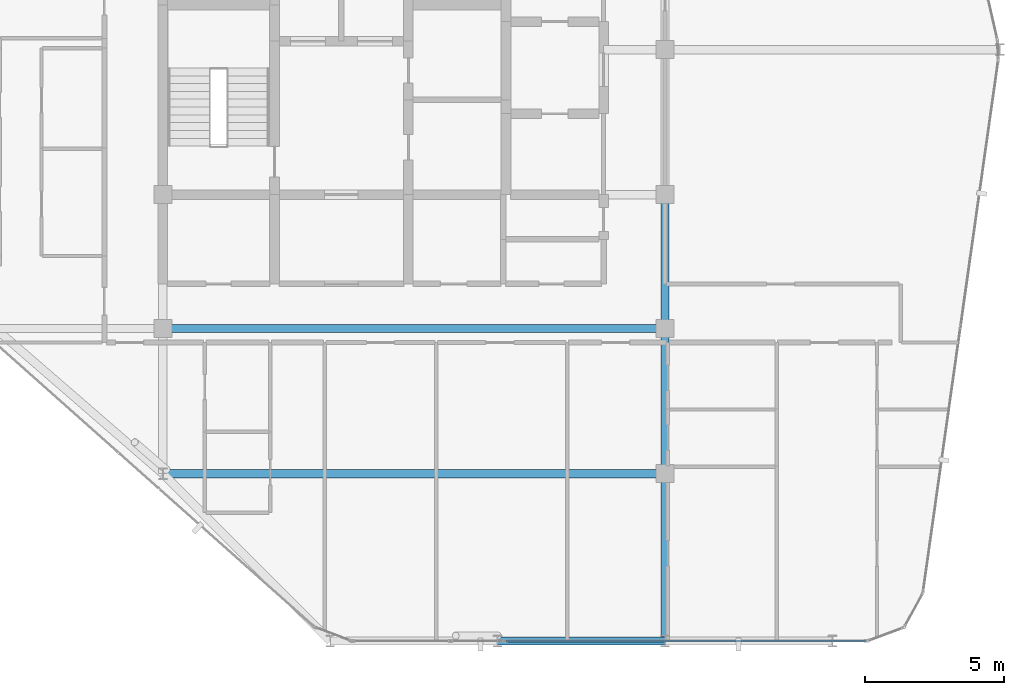
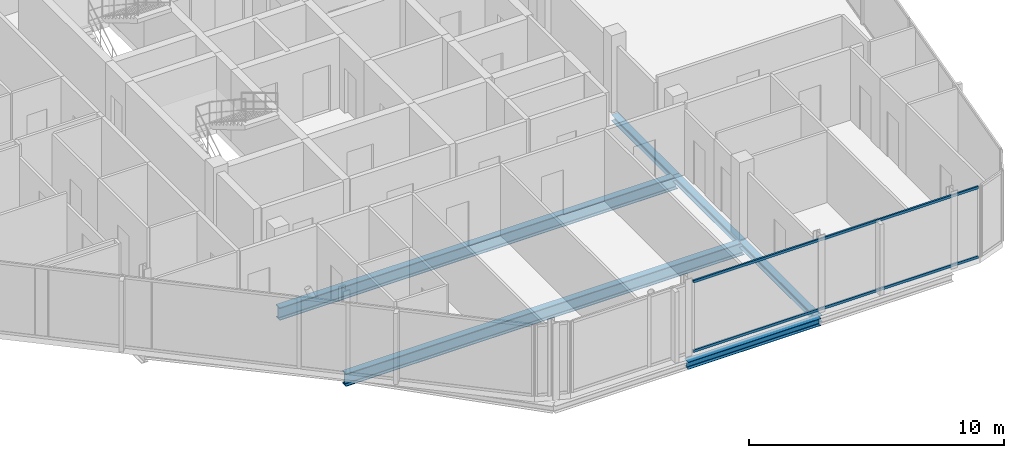
# One storey, part 7 of 27: 6 beams, 2 members, 1 element without a shape of its own.
"""IFC4 building model written with IfcOpenShell, lengths in metres."""

from ifc_helpers import new_model, si_unit, direction, frame, origin, origin_2d, place, context, subcontext, project, spatial, hollow_rectangle, i_section, extrude, material, layer, layer_set, material_profile, profile_set, type_object, element, aggregate, save


model = new_model("IFC4")

# Units and contexts
model_context = context("Model", 3, precision=1e-05, world=origin(), true_north=direction((0.0, 1.0)))
body_context = subcontext(model_context, "Body", "Model", "MODEL_VIEW")
ifc_project = project(units=[si_unit("LENGTHUNIT", "METRE"), si_unit("AREAUNIT", "SQUARE_METRE"), si_unit("VOLUMEUNIT", "CUBIC_METRE"), si_unit("PLANEANGLEUNIT", "RADIAN"), si_unit("MASSUNIT", "GRAM", prefix="KILO")], contexts=[model_context])

# Site, building, storey
site_placement = place(None, origin())
site = spatial("IfcSite", under=ifc_project, at=site_placement, CompositionType="ELEMENT")
building_placement = place(site_placement, origin())
building = spatial("IfcBuilding", under=site, at=building_placement, Name="Keshet Zoharim Tower", CompositionType="ELEMENT")
storey_placement = place(building_placement, frame((0.0, 0.0, 288.0)))
storey = spatial("IfcBuildingStorey", under=building, at=storey_placement, Name="L72", CompositionType="ELEMENT", Elevation=288.0)

# Beams
ifc_material_1 = material(Name="Steel S355", Category="steel")
ifc_material_profile_1 = material_profile(ifc_material_1, i_section(OverallWidth=0.300048828125, OverallDepth=0.60009765625, WebThickness=0.015380859375, FlangeThickness=0.030029296875, FilletRadius=0.027099609375, at=origin_2d()), Name="HEB600")
ifc_profile_set_1 = profile_set([ifc_material_profile_1], Name="Steel S355")
beam_type_1 = type_object("IfcBeamType", Name="BM-LNG-HB600", PredefinedType="BEAM", material=ifc_profile_set_1)
for number, where, z_axis, x_axis, name in (
    (1, (15.0, 12.699951171875, -0.610107421875), (1.0, 0.0, 0.0), (0.0, 1.0, 0.0), "L72 Primary Girder X-004"),
    (2, (15.0, 17.89990234375, -0.610107421875), (1.0, 0.0, 0.0), (0.0, 1.0, 0.0), "L72 Primary Girder X-006"),
):
    element("IfcBeam", number, at=place(storey_placement, frame(where, z_axis=z_axis, x_axis=x_axis)), inside=storey, type_object=beam_type_1, Name=name, PredefinedType="BEAM", context=body_context, shape_type="SweptSolid", body=[
        extrude(i_section(OverallWidth=0.300048828125, OverallDepth=0.60009765625, WebThickness=0.015380859375, FlangeThickness=0.030029296875, FilletRadius=0.027099609375, at=origin_2d()), origin(), (0.0, 0.0, 1.0), 18.0),
    ])
ifc_material_profile_2 = material_profile(ifc_material_1, i_section(OverallWidth=0.300048828125, OverallDepth=0.2900390625, WebThickness=0.008544921875, FlangeThickness=0.013916015625, FilletRadius=0.027099609375, at=origin_2d()), Name="HEA300")
ifc_profile_set_2 = profile_set([ifc_material_profile_2], Name="Steel S355")
beam_type_2 = type_object("IfcBeamType", Name="BM-PRI-HA300", PredefinedType="BEAM", material=ifc_profile_set_2)
beam_1_placement = place(storey_placement, frame((33.0, 6.699951171875, -0.455078125), z_axis=(0.0, 1.0, 0.0), x_axis=(-1.0, 0.0, 0.0)))
element("IfcBeam", 3, at=beam_1_placement, inside=storey, type_object=beam_type_2, Name="L72 Primary Girder Y-004", PredefinedType="BEAM", context=body_context, shape_type="SweptSolid", body=[
    extrude(i_section(OverallWidth=0.300048828125, OverallDepth=0.2900390625, WebThickness=0.008544921875, FlangeThickness=0.013916015625, FilletRadius=0.027099609375, at=origin_2d()), origin(), (0.0, 0.0, 1.0), 6.0),
])
beam_2_placement = place(storey_placement, frame((33.0, 12.699951171875, -0.455078125), z_axis=(0.0, 1.0, 0.0), x_axis=(-1.0, 0.0, 0.0)))
element("IfcBeam", 4, at=beam_2_placement, inside=storey, type_object=beam_type_2, Name="L72 Primary Girder Y-005", PredefinedType="BEAM", context=body_context, shape_type="SweptSolid", body=[
    extrude(i_section(OverallWidth=0.300048828125, OverallDepth=0.2900390625, WebThickness=0.008544921875, FlangeThickness=0.013916015625, FilletRadius=0.027099609375, at=origin_2d()), origin(), (0.0, 0.0, 1.0), 5.199951171875),
])
beam_3_placement = place(storey_placement, frame((33.0, 17.89990234375, -0.455078125), z_axis=(0.0, 1.0, 0.0), x_axis=(-1.0, 0.0, 0.0)))
element("IfcBeam", 5, at=beam_3_placement, inside=storey, type_object=beam_type_2, Name="L72 Primary Girder Y-006", PredefinedType="BEAM", context=body_context, shape_type="SweptSolid", body=[
    extrude(i_section(OverallWidth=0.300048828125, OverallDepth=0.2900390625, WebThickness=0.008544921875, FlangeThickness=0.013916015625, FilletRadius=0.027099609375, at=origin_2d()), origin(), (0.0, 0.0, 1.0), 4.800048828125),
])
ifc_material_profile_3 = material_profile(ifc_material_1, i_section(OverallWidth=0.300048828125, OverallDepth=0.35009765625, WebThickness=0.010009765625, FlangeThickness=0.017578125, FilletRadius=0.027099609375, at=origin_2d()), Name="HEA360")
ifc_profile_set_3 = profile_set([ifc_material_profile_3], Name="Steel S355")
beam_type_3 = type_object("IfcBeamType", Name="BM-PRI-HA360", PredefinedType="BEAM", material=ifc_profile_set_3)
beam_4_placement = place(storey_placement, frame((27.0, 6.699951171875, -0.485107421875), z_axis=(1.0, 0.0, 0.0), x_axis=(0.0, 1.0, 0.0)))
element("IfcBeam", 6, at=beam_4_placement, inside=storey, type_object=beam_type_3, Name="L72 Primary Girder X-002", PredefinedType="BEAM", context=body_context, shape_type="SweptSolid", body=[
    extrude(i_section(OverallWidth=0.300048828125, OverallDepth=0.35009765625, WebThickness=0.010009765625, FlangeThickness=0.017578125, FilletRadius=0.027099609375, at=origin_2d()), origin(), (0.0, 0.0, 1.0), 6.0),
])

# Curtain wall, members
ifc_material_2 = material(Name="Aluminium 6063-T6", Category="aluminium")
ifc_layer = layer(ifc_material_2, 0.260009765625)
ifc_layer_set = layer_set([ifc_layer], Name="Aluminium 6063-T6")
curtain_wall_type = type_object("IfcCurtainWallType", Name="CW-SYS-06", PredefinedType="NOTDEFINED", material=ifc_layer_set)
curtain_wall_placement = place(storey_placement, origin())
curtain_wall = element("IfcCurtainWall", 7, at=curtain_wall_placement, inside=storey, type_object=curtain_wall_type, Name="L72 Unitised Curtain Wall 14", PredefinedType="NOTDEFINED")
ifc_material_profile_4 = material_profile(ifc_material_2, hollow_rectangle(XDim=0.074951171875, YDim=0.1201171875, WallThickness=0.00390625, at=origin_2d()), Name="TRN-75x120")
ifc_profile_set_4 = profile_set([ifc_material_profile_4], Name="Aluminium 6063-T6")
member_type = type_object("IfcMemberType", Name="CWT-T12", PredefinedType="USERDEFINED", material=ifc_profile_set_4)
member_1_placement = place(storey_placement, frame((40.193115234375, 6.699951171875, 0.034912109375), z_axis=(-1.0, 0.0, 0.0), x_axis=(0.0, -1.0, 0.0)))
member_1 = element("IfcMember", 8, at=member_1_placement, type_object=member_type, Name="CW-06 transom 1.1", ObjectType="TRANSOM", PredefinedType="USERDEFINED", context=body_context, shape_type="SweptSolid", body=[
    extrude(hollow_rectangle(XDim=0.074951171875, YDim=0.1201171875, WallThickness=0.00390625, at=origin_2d()), origin(), (0.0, 0.0, 1.0), 12.898193359375),
])
member_2_placement = place(storey_placement, frame((40.193115234375, 6.699951171875, 3.35498046875), z_axis=(-1.0, 0.0, 0.0), x_axis=(0.0, -1.0, 0.0)))
member_2 = element("IfcMember", 9, at=member_2_placement, type_object=member_type, Name="CW-06 transom 1.2", ObjectType="TRANSOM", PredefinedType="USERDEFINED", context=body_context, shape_type="SweptSolid", body=[
    extrude(hollow_rectangle(XDim=0.074951171875, YDim=0.1201171875, WallThickness=0.00390625, at=origin_2d()), origin(), (0.0, 0.0, 1.0), 12.898193359375),
])
aggregate(curtain_wall, [member_1, member_2])

save(model, "model.ifc")
